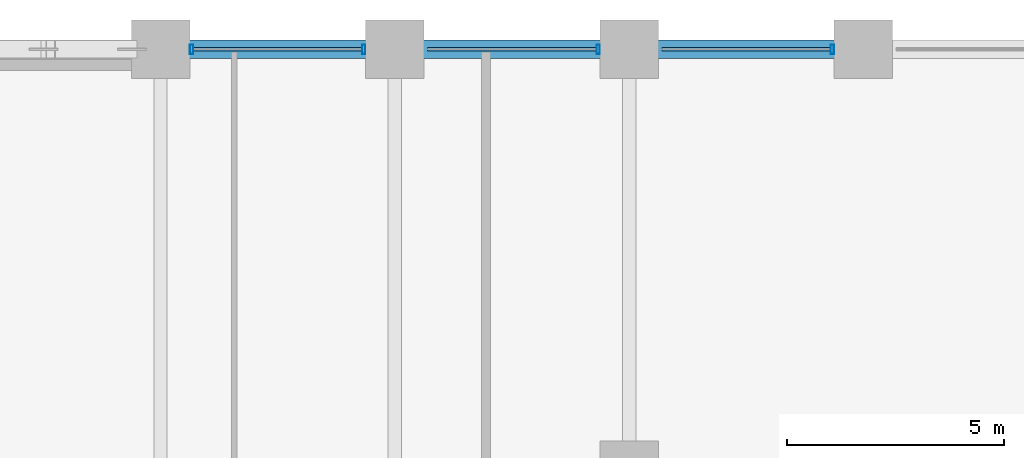
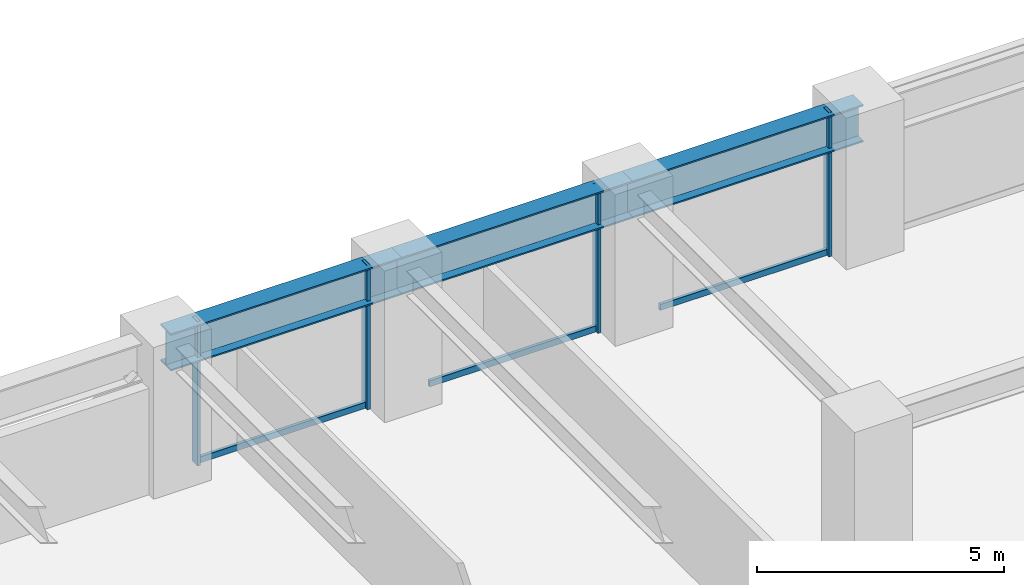
# One storey, part 15 of 25: 7 members, 3 beams, 1 element without a shape of its own.
"""IFC4 building model written with IfcOpenShell, lengths in metres."""

from ifc_helpers import new_model, si_unit, direction, frame, origin, origin_2d, place, context, subcontext, project, spatial, hollow_rectangle, i_section, extrude, material, layer, layer_set, material_profile, profile_set, type_object, element, aggregate, save


model = new_model("IFC4")

# Units and contexts
model_context = context("Model", 3, precision=1e-05, world=origin(), true_north=direction((0.0, 1.0)))
body_context = subcontext(model_context, "Body", "Model", "MODEL_VIEW")
ifc_project = project(units=[si_unit("LENGTHUNIT", "METRE"), si_unit("AREAUNIT", "SQUARE_METRE"), si_unit("VOLUMEUNIT", "CUBIC_METRE"), si_unit("PLANEANGLEUNIT", "RADIAN"), si_unit("MASSUNIT", "GRAM", prefix="KILO")], contexts=[model_context])

# Site, building, storey
site_placement = place(None, origin())
site = spatial("IfcSite", under=ifc_project, at=site_placement, CompositionType="ELEMENT")
building_placement = place(site_placement, origin())
building = spatial("IfcBuilding", under=site, at=building_placement, Name="Surkhivell Harbour Commons", CompositionType="ELEMENT")
storey_placement = place(building_placement, frame((0.0, 0.0, 41.25)))
storey = spatial("IfcBuildingStorey", under=building, at=storey_placement, Name="L10", CompositionType="ELEMENT", Elevation=41.25)

# Beams
ifc_material_1 = material(Name="Steel S460", Category="steel")
ifc_material_profile_1 = material_profile(ifc_material_1, i_section(OverallWidth=0.419921875, OverallDepth=0.9208984375, WebThickness=0.021484375, FlangeThickness=0.03662109375, at=origin_2d()), Name="UB914x419x388")
ifc_profile_set_1 = profile_set([ifc_material_profile_1], Name="Steel S460")
beam_type = type_object("IfcBeamType", Name="BM-SPN-914A", PredefinedType="SPANDREL", material=ifc_profile_set_1)
beam_1_placement = place(storey_placement, frame((5.39990234375, 25.89990234375, 3.109619140625), z_axis=(1.0, 0.0, 0.0), x_axis=(0.0, 1.0, 0.0)))
element("IfcBeam", 1, at=beam_1_placement, inside=storey, type_object=beam_type, Name="L10 Tube Spandrel (5.4,25.9)", PredefinedType="SPANDREL", context=body_context, shape_type="SweptSolid", body=[
    extrude(i_section(OverallWidth=0.419921875, OverallDepth=0.9208984375, WebThickness=0.021484375, FlangeThickness=0.03662109375, at=origin_2d()), origin(), (0.0, 0.0, 1.0), 5.400146484375),
])
beam_2_placement = place(storey_placement, frame((10.800048828125, 25.89990234375, 3.109619140625), z_axis=(1.0, 0.0, 0.0), x_axis=(0.0, 1.0, 0.0)))
element("IfcBeam", 2, at=beam_2_placement, inside=storey, type_object=beam_type, Name="L10 Tube Spandrel (10.8,25.9)", PredefinedType="SPANDREL", context=body_context, shape_type="SweptSolid", body=[
    extrude(i_section(OverallWidth=0.419921875, OverallDepth=0.9208984375, WebThickness=0.021484375, FlangeThickness=0.03662109375, at=origin_2d()), origin(), (0.0, 0.0, 1.0), 5.39990234375),
])
beam_3_placement = place(storey_placement, frame((16.199951171875, 25.89990234375, 3.109619140625), z_axis=(1.0, 0.0, 0.0), x_axis=(0.0, 1.0, 0.0)))
element("IfcBeam", 3, at=beam_3_placement, inside=storey, type_object=beam_type, Name="L10 Tube Spandrel (16.2,25.9)", PredefinedType="SPANDREL", context=body_context, shape_type="SweptSolid", body=[
    extrude(i_section(OverallWidth=0.419921875, OverallDepth=0.9208984375, WebThickness=0.021484375, FlangeThickness=0.03662109375, at=origin_2d()), origin(), (0.0, 0.0, 1.0), 5.400146484375),
])

# Curtain wall, members
ifc_material_2 = material(Name="Anodised pale-metal aluminium and insulated glazing", Category="aluminium")
ifc_layer = layer(ifc_material_2, 0.219970703125)
ifc_layer_set = layer_set([ifc_layer], Name="Anodised pale-metal aluminium and insulated glazing")
curtain_wall_type = type_object("IfcCurtainWallType", Name="CW-SYS-Z1", PredefinedType="NOTDEFINED", material=ifc_layer_set)
curtain_wall_placement = place(storey_placement, origin())
curtain_wall = element("IfcCurtainWall", 4, at=curtain_wall_placement, inside=storey, type_object=curtain_wall_type, Name="L10 Curtain Wall CW-L10-E07S1", PredefinedType="NOTDEFINED")
ifc_material_3 = material(Name="Anodised pale-metal aluminium alloy 6063-T6", Category="aluminium")
ifc_material_profile_2 = material_profile(ifc_material_3, hollow_rectangle(XDim=0.074951171875, YDim=0.219970703125, WallThickness=0.00390625, at=origin_2d()), Name="ALU-MULL-75x220")
ifc_profile_set_2 = profile_set([ifc_material_profile_2], Name="Anodised pale-metal aluminium alloy 6063-T6")
member_type_1 = type_object("IfcMemberType", Name="CWM-220", PredefinedType="MULLION", material=ifc_profile_set_2)
member_1_placement = place(storey_placement, frame((20.885498046875, 25.89990234375, 0.0), z_axis=(0.0, 0.0, 1.0), x_axis=(-1.0, 0.0, 0.0)))
member_1 = element("IfcMember", 5, at=member_1_placement, type_object=member_type_1, Name="CW-Z1 mullion 2", PredefinedType="MULLION", context=body_context, shape_type="SweptSolid", body=[
    extrude(hollow_rectangle(XDim=0.074951171875, YDim=0.219970703125, WallThickness=0.00390625, at=origin_2d()), origin(), (0.0, 0.0, 1.0), 3.570068359375),
])
member_2_placement = place(storey_placement, frame((15.485595703125, 25.89990234375, 0.0), z_axis=(0.0, 0.0, 1.0), x_axis=(-1.0, 0.0, 0.0)))
member_2 = element("IfcMember", 6, at=member_2_placement, type_object=member_type_1, Name="CW-Z1 mullion 3", PredefinedType="MULLION", context=body_context, shape_type="SweptSolid", body=[
    extrude(hollow_rectangle(XDim=0.074951171875, YDim=0.219970703125, WallThickness=0.00390625, at=origin_2d()), origin(), (0.0, 0.0, 1.0), 3.570068359375),
])
member_3_placement = place(storey_placement, frame((10.08544921875, 25.89990234375, 0.0), z_axis=(0.0, 0.0, 1.0), x_axis=(-1.0, 0.0, 0.0)))
member_3 = element("IfcMember", 7, at=member_3_placement, type_object=member_type_1, Name="CW-Z1 mullion 4", PredefinedType="MULLION", context=body_context, shape_type="SweptSolid", body=[
    extrude(hollow_rectangle(XDim=0.074951171875, YDim=0.219970703125, WallThickness=0.00390625, at=origin_2d()), origin(), (0.0, 0.0, 1.0), 3.570068359375),
])
member_4_placement = place(storey_placement, frame((6.114501953125, 25.89990234375, 0.0), z_axis=(0.0, 0.0, 1.0), x_axis=(-1.0, 0.0, 0.0)))
member_4 = element("IfcMember", 8, at=member_4_placement, type_object=member_type_1, Name="CW-Z1 mullion 5", PredefinedType="MULLION", context=body_context, shape_type="SweptSolid", body=[
    extrude(hollow_rectangle(XDim=0.074951171875, YDim=0.219970703125, WallThickness=0.00390625, at=origin_2d()), origin(), (0.0, 0.0, 1.0), 3.570068359375),
])
ifc_material_profile_3 = material_profile(ifc_material_3, hollow_rectangle(XDim=0.074951171875, YDim=0.14990234375, WallThickness=0.00341796875, at=origin_2d()), Name="ALU-TRAN-75x150")
ifc_profile_set_3 = profile_set([ifc_material_profile_3], Name="Anodised pale-metal aluminium alloy 6063-T6")
member_type_2 = type_object("IfcMemberType", Name="CWT-150", PredefinedType="USERDEFINED", material=ifc_profile_set_3)
member_5_placement = place(storey_placement, frame((20.847900390625, 25.89990234375, 0.074951171875), z_axis=(-1.0, 0.0, 0.0), x_axis=(0.0, -1.0, 0.0)))
member_5 = element("IfcMember", 9, at=member_5_placement, type_object=member_type_2, Name="CW-Z1 transom 2.1", ObjectType="TRANSOM", PredefinedType="USERDEFINED", context=body_context, shape_type="SweptSolid", body=[
    extrude(hollow_rectangle(XDim=0.074951171875, YDim=0.14990234375, WallThickness=0.00341796875, at=origin_2d()), origin(), (0.0, 0.0, 1.0), 3.89599609375),
])
member_6_placement = place(storey_placement, frame((15.447998046875, 25.89990234375, 0.074951171875), z_axis=(-1.0, 0.0, 0.0), x_axis=(0.0, -1.0, 0.0)))
member_6 = element("IfcMember", 10, at=member_6_placement, type_object=member_type_2, Name="CW-Z1 transom 3.1", ObjectType="TRANSOM", PredefinedType="USERDEFINED", context=body_context, shape_type="SweptSolid", body=[
    extrude(hollow_rectangle(XDim=0.074951171875, YDim=0.14990234375, WallThickness=0.00341796875, at=origin_2d()), origin(), (0.0, 0.0, 1.0), 3.89599609375),
])
member_7_placement = place(storey_placement, frame((10.048095703125, 25.89990234375, 0.074951171875), z_axis=(-1.0, 0.0, 0.0), x_axis=(0.0, -1.0, 0.0)))
member_7 = element("IfcMember", 11, at=member_7_placement, type_object=member_type_2, Name="CW-Z1 transom 4.1", ObjectType="TRANSOM", PredefinedType="USERDEFINED", context=body_context, shape_type="SweptSolid", body=[
    extrude(hollow_rectangle(XDim=0.074951171875, YDim=0.14990234375, WallThickness=0.00341796875, at=origin_2d()), origin(), (0.0, 0.0, 1.0), 3.89599609375),
])
aggregate(curtain_wall, [member_1, member_5, member_2, member_6, member_3, member_4, member_7])

save(model, "model.ifc")
